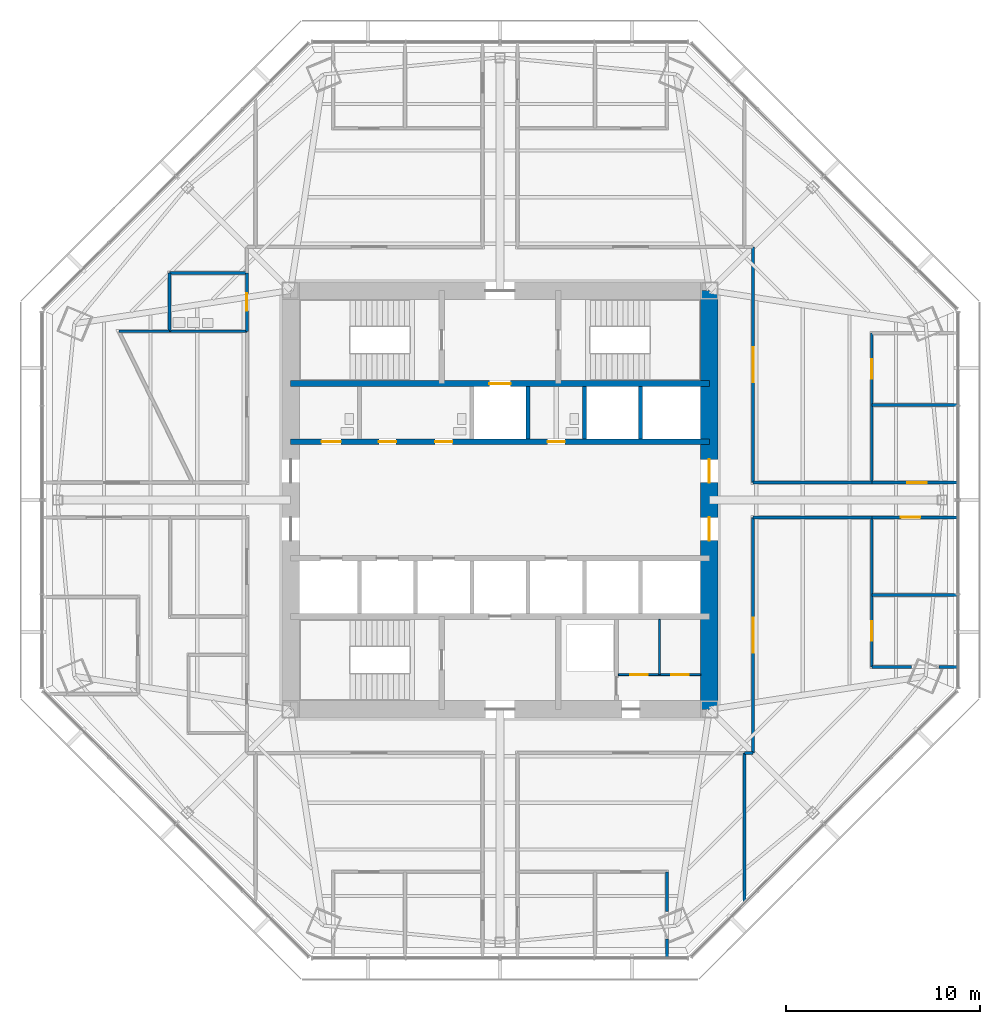
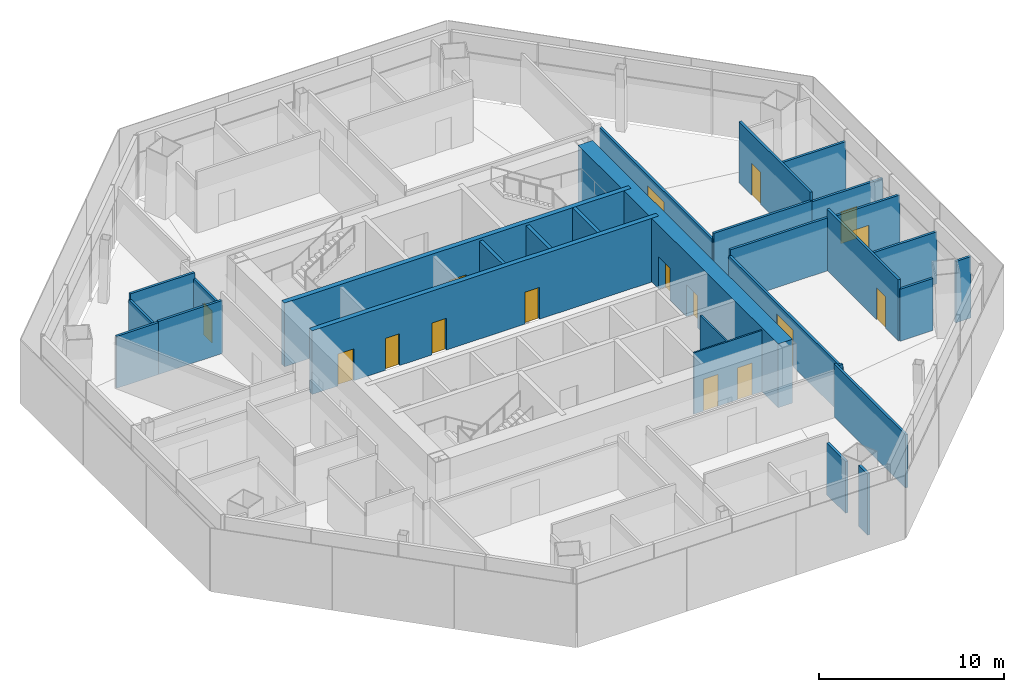
# One storey, part 10 of 15: 29 walls, 16 doors, 16 openings.
"""IFC4 building model written with IfcOpenShell, lengths in metres."""

from ifc_helpers import new_model, si_unit, direction, frame, frame_2d, origin, place, context, subcontext, project, spatial, rectangle, extrude, material, layer, layer_set, type_object, element, fill, save


model = new_model("IFC4")

# Units and contexts
model_context = context("Model", 3, precision=1e-05, world=origin(), true_north=direction((0.0, 1.0)))
body_context = subcontext(model_context, "Body", "Model", "MODEL_VIEW")
ifc_project = project(units=[si_unit("LENGTHUNIT", "METRE"), si_unit("AREAUNIT", "SQUARE_METRE"), si_unit("VOLUMEUNIT", "CUBIC_METRE"), si_unit("PLANEANGLEUNIT", "RADIAN"), si_unit("MASSUNIT", "GRAM", prefix="KILO")], contexts=[model_context])

# Site, building, storey
site_placement = place(None, origin())
site = spatial("IfcSite", under=ifc_project, at=site_placement, CompositionType="ELEMENT")
building_placement = place(site_placement, origin())
building = spatial("IfcBuilding", under=site, at=building_placement, Name="Mashrafa Tower", CompositionType="ELEMENT")
storey_placement = place(building_placement, frame((0.0, 0.0, 155.39990234375)))
storey = spatial("IfcBuildingStorey", under=building, at=storey_placement, Name="L35", CompositionType="ELEMENT", Elevation=155.39990234375)

# Wall, openings, doors
ifc_material_1 = material(Name="Concrete C60/75", Category="concrete")
ifc_layer_1 = layer(ifc_material_1, 0.300048828125)
ifc_layer_set_1 = layer_set([ifc_layer_1], Name="Core wall 300 C60/75")
wall_type_1 = type_object("IfcWallType", Name="Core wall 300 C60/75", PredefinedType="SOLIDWALL", material=ifc_layer_set_1)
wall_1_placement = place(storey_placement, frame((-10.800048828125, 3.0, 0.0), z_axis=(0.0, 0.0, 1.0), x_axis=(1.0, 0.0, 0.0)))
wall_1 = element("IfcWall", 1, at=wall_1_placement, inside=storey, type_object=wall_type_1, Name="Core wall CH-N L35", PredefinedType="SOLIDWALL", context=body_context, shape_type="SweptSolid", body=[
    extrude(rectangle(XDim=21.60009765625, YDim=0.300048828125, at=frame_2d((10.800048828125, 0.0))), origin(), (0.0, 0.0, 1.0), 4.2001953125),
])
opening_1_placement = place(wall_1_placement, frame((1.60009765625, 0.0, 0.0)))
opening_1 = element("IfcOpeningElement", 2, at=opening_1_placement, cuts=wall_1, Name="Opening 35.039", PredefinedType="OPENING", context=body_context, shape_type="SweptSolid", body=[
    extrude(rectangle(XDim=1.0, YDim=2.10009765625, at=frame_2d((0.5, 1.050048828125))), frame((0.0, 0.159912109375, 0.0), z_axis=(0.0, -1.0, 0.0), x_axis=(1.0, 0.0, 0.0)), (0.0, 0.0, 1.0), 0.320068359375),
])
opening_2_placement = place(wall_1_placement, frame((4.550048828125, 0.0, 0.0)))
opening_2 = element("IfcOpeningElement", 3, at=opening_2_placement, cuts=wall_1, Name="Opening 35.040", PredefinedType="OPENING", context=body_context, shape_type="SweptSolid", body=[
    extrude(rectangle(XDim=0.89990234375, YDim=2.10009765625, at=frame_2d((0.449951171875, 1.050048828125))), frame((0.0, 0.159912109375, 0.0), z_axis=(0.0, -1.0, 0.0), x_axis=(1.0, 0.0, 0.0)), (0.0, 0.0, 1.0), 0.320068359375),
])
opening_3_placement = place(wall_1_placement, frame((7.449951171875, 0.0, 0.0)))
opening_3 = element("IfcOpeningElement", 4, at=opening_3_placement, cuts=wall_1, Name="Opening 35.041", PredefinedType="OPENING", context=body_context, shape_type="SweptSolid", body=[
    extrude(rectangle(XDim=0.89990234375, YDim=2.10009765625, at=frame_2d((0.449951171875, 1.050048828125))), frame((0.0, 0.159912109375, 0.0), z_axis=(0.0, -1.0, 0.0), x_axis=(1.0, 0.0, 0.0)), (0.0, 0.0, 1.0), 0.320068359375),
])
opening_4_placement = place(wall_1_placement, frame((13.25, 0.0, 0.0)))
opening_4 = element("IfcOpeningElement", 5, at=opening_4_placement, cuts=wall_1, Name="Opening 35.042", PredefinedType="OPENING", context=body_context, shape_type="SweptSolid", body=[
    extrude(rectangle(XDim=0.89990234375, YDim=2.10009765625, at=frame_2d((0.449951171875, 1.050048828125))), frame((0.0, 0.159912109375, 0.0), z_axis=(0.0, -1.0, 0.0), x_axis=(1.0, 0.0, 0.0)), (0.0, 0.0, 1.0), 0.320068359375),
])
ifc_material_2 = material(Name="Timber door", Category="wood")
door_type_1 = type_object("IfcDoorType", Name="Accessible toilet door 1000 x 2100", OperationType="USERDEFINED", PredefinedType="DOOR", material=ifc_material_2)
door_1_placement = place(opening_1_placement, origin())
door_1 = element("IfcDoor", 6, at=door_1_placement, inside=storey, type_object=door_type_1, Name="Accessible WC L35 door", OperationType="SINGLE_SWING_RIGHT", OverallHeight=2.10009765625, OverallWidth=1.0, PredefinedType="DOOR", context=body_context, shape_type="SweptSolid", body=[
    extrude(rectangle(XDim=1.0, YDim=2.10009765625, at=frame_2d((0.5, 1.050048828125))), frame((0.0, 0.02490234375, 0.0), z_axis=(0.0, -1.0, 0.0), x_axis=(1.0, 0.0, 0.0)), (0.0, 0.0, 1.0), 0.050048828125),
])
fill(opening_1, door_1)
ifc_material_3 = material(Name="Timber door", Category="wood")
door_type_2 = type_object("IfcDoorType", Name="Toilet door 900 x 2100", OperationType="USERDEFINED", PredefinedType="DOOR", material=ifc_material_3)
door_2_placement = place(opening_2_placement, origin())
door_2 = element("IfcDoor", 7, at=door_2_placement, inside=storey, type_object=door_type_2, Name="WC Male L35 door", OperationType="SINGLE_SWING_LEFT", OverallHeight=2.10009765625, OverallWidth=0.89990234375, PredefinedType="DOOR", context=body_context, shape_type="SweptSolid", body=[
    extrude(rectangle(XDim=0.89990234375, YDim=2.10009765625, at=frame_2d((0.449951171875, 1.050048828125))), frame((0.0, 0.02490234375, 0.0), z_axis=(0.0, -1.0, 0.0), x_axis=(1.0, 0.0, 0.0)), (0.0, 0.0, 1.0), 0.050048828125),
])
fill(opening_2, door_2)
door_3_placement = place(opening_3_placement, origin())
door_3 = element("IfcDoor", 8, at=door_3_placement, inside=storey, type_object=door_type_2, Name="WC Male L35 door", OperationType="SINGLE_SWING_RIGHT", OverallHeight=2.10009765625, OverallWidth=0.89990234375, PredefinedType="DOOR", context=body_context, shape_type="SweptSolid", body=[
    extrude(rectangle(XDim=0.89990234375, YDim=2.10009765625, at=frame_2d((0.449951171875, 1.050048828125))), frame((0.0, 0.02490234375, 0.0), z_axis=(0.0, -1.0, 0.0), x_axis=(1.0, 0.0, 0.0)), (0.0, 0.0, 1.0), 0.050048828125),
])
fill(opening_3, door_3)
door_4_placement = place(opening_4_placement, origin())
door_4 = element("IfcDoor", 9, at=door_4_placement, inside=storey, type_object=door_type_2, Name="WC Female L35 door", OperationType="SINGLE_SWING_LEFT", OverallHeight=2.10009765625, OverallWidth=0.89990234375, PredefinedType="DOOR", context=body_context, shape_type="SweptSolid", body=[
    extrude(rectangle(XDim=0.89990234375, YDim=2.10009765625, at=frame_2d((0.449951171875, 1.050048828125))), frame((0.0, 0.02490234375, 0.0), z_axis=(0.0, -1.0, 0.0), x_axis=(1.0, 0.0, 0.0)), (0.0, 0.0, 1.0), 0.050048828125),
])
fill(opening_4, door_4)

# Wall, opening, door
wall_2_placement = place(storey_placement, frame((-10.800048828125, 6.0, 0.0), z_axis=(0.0, 0.0, 1.0), x_axis=(1.0, 0.0, 0.0)))
wall_2 = element("IfcWall", 10, at=wall_2_placement, inside=storey, type_object=wall_type_1, Name="Core wall CB-N L35", PredefinedType="SOLIDWALL", context=body_context, shape_type="SweptSolid", body=[
    extrude(rectangle(XDim=21.60009765625, YDim=0.300048828125, at=frame_2d((10.800048828125, 0.0))), origin(), (0.0, 0.0, 1.0), 4.2001953125),
])
opening_5_placement = place(wall_2_placement, frame((10.25, 0.0, 0.0)))
opening_5 = element("IfcOpeningElement", 11, at=opening_5_placement, cuts=wall_2, Name="Opening 35.F1", PredefinedType="OPENING", context=body_context, shape_type="SweptSolid", body=[
    extrude(rectangle(XDim=1.10009765625, YDim=2.10009765625, at=frame_2d((0.550048828125, 1.050048828125))), frame((0.0, 0.159912109375, 0.0), z_axis=(0.0, -1.0, 0.0), x_axis=(1.0, 0.0, 0.0)), (0.0, 0.0, 1.0), 0.320068359375),
])
ifc_material_4 = material(Name="Steel door", Category="steel")
door_type_3 = type_object("IfcDoorType", Name="Lift landing door 1100 x 2100 90 min", OperationType="DOUBLE_DOOR_SLIDING", PredefinedType="DOOR", material=ifc_material_4)
door_5_placement = place(opening_5_placement, origin())
door_5 = element("IfcDoor", 12, at=door_5_placement, inside=storey, type_object=door_type_3, Name="Lift landing door F1 L35", OperationType="DOUBLE_DOOR_SLIDING", OverallHeight=2.10009765625, OverallWidth=1.10009765625, PredefinedType="DOOR", context=body_context, shape_type="SweptSolid", body=[
    extrude(rectangle(XDim=1.10009765625, YDim=2.10009765625, at=frame_2d((0.550048828125, 1.050048828125))), frame((0.0, 0.02490234375, 0.0), z_axis=(0.0, -1.0, 0.0), x_axis=(1.0, 0.0, 0.0)), (0.0, 0.0, 1.0), 0.050048828125),
])
fill(opening_5, door_5)

# Wall, openings, doors
ifc_material_5 = material(Name="Concrete C60/75", Category="concrete")
ifc_layer_2 = layer(ifc_material_5, 0.89990234375)
ifc_layer_set_2 = layer_set([ifc_layer_2], Name="Core wall 900 C60/75")
wall_type_2 = type_object("IfcWallType", Name="Core wall 900 C60/75", PredefinedType="SOLIDWALL", material=ifc_layer_set_2)
wall_3_placement = place(storey_placement, frame((10.800048828125, -10.800048828125, 0.0), z_axis=(0.0, 0.0, 1.0), x_axis=(0.0, 1.0, 0.0)))
wall_3 = element("IfcWall", 13, at=wall_3_placement, inside=storey, type_object=wall_type_2, Name="Core wall CW-E L35", PredefinedType="SOLIDWALL", context=body_context, shape_type="SweptSolid", body=[
    extrude(rectangle(XDim=21.60009765625, YDim=0.89990234375, at=frame_2d((10.800048828125, 0.0))), origin(), (0.0, 0.0, 1.0), 4.2001953125),
])
opening_6_placement = place(wall_3_placement, frame((11.699951171875, 0.0, 0.0)))
opening_6 = element("IfcOpeningElement", 14, at=opening_6_placement, cuts=wall_3, Name="Opening 35.026", PredefinedType="OPENING", context=body_context, shape_type="SweptSolid", body=[
    extrude(rectangle(XDim=1.199951171875, YDim=2.10009765625, at=frame_2d((0.60009765625, 1.050048828125))), frame((0.0, 0.4599609375, 0.0), z_axis=(0.0, -1.0, 0.0), x_axis=(1.0, 0.0, 0.0)), (0.0, 0.0, 1.0), 0.919921875),
])
opening_7_placement = place(wall_3_placement, frame((8.699951171875, 0.0, 0.0)))
opening_7 = element("IfcOpeningElement", 15, at=opening_7_placement, cuts=wall_3, Name="Opening 35.028", PredefinedType="OPENING", context=body_context, shape_type="SweptSolid", body=[
    extrude(rectangle(XDim=1.199951171875, YDim=2.10009765625, at=frame_2d((0.60009765625, 1.050048828125))), frame((0.0, 0.4599609375, 0.0), z_axis=(0.0, -1.0, 0.0), x_axis=(1.0, 0.0, 0.0)), (0.0, 0.0, 1.0), 0.919921875),
])
ifc_material_6 = material(Name="Steel door", Category="steel")
door_type_4 = type_object("IfcDoorType", Name="Lift hall door 1200 x 2100 90 min", OperationType="USERDEFINED", PredefinedType="DOOR", material=ifc_material_6)
door_6_placement = place(opening_6_placement, frame((1.199951171875, 0.0, 0.0), z_axis=(0.0, 0.0, 1.0), x_axis=(-1.0, 0.0, 0.0)))
door_6 = element("IfcDoor", 16, at=door_6_placement, inside=storey, type_object=door_type_4, Name="Lift hall door east L35", OperationType="SINGLE_SWING_LEFT", OverallHeight=2.10009765625, OverallWidth=1.199951171875, PredefinedType="DOOR", context=body_context, shape_type="SweptSolid", body=[
    extrude(rectangle(XDim=1.199951171875, YDim=2.10009765625, at=frame_2d((0.60009765625, 1.050048828125))), frame((0.0, 0.02490234375, 0.0), z_axis=(0.0, -1.0, 0.0), x_axis=(1.0, 0.0, 0.0)), (0.0, 0.0, 1.0), 0.050048828125),
])
fill(opening_6, door_6)
door_7_placement = place(opening_7_placement, frame((1.199951171875, 0.0, 0.0), z_axis=(0.0, 0.0, 1.0), x_axis=(-1.0, 0.0, 0.0)))
door_7 = element("IfcDoor", 17, at=door_7_placement, inside=storey, type_object=door_type_4, Name="Lift hall door east L35", OperationType="SINGLE_SWING_RIGHT", OverallHeight=2.10009765625, OverallWidth=1.199951171875, PredefinedType="DOOR", context=body_context, shape_type="SweptSolid", body=[
    extrude(rectangle(XDim=1.199951171875, YDim=2.10009765625, at=frame_2d((0.60009765625, 1.050048828125))), frame((0.0, 0.02490234375, 0.0), z_axis=(0.0, -1.0, 0.0), x_axis=(1.0, 0.0, 0.0)), (0.0, 0.0, 1.0), 0.050048828125),
])
fill(opening_7, door_7)

# Wall, opening, door
ifc_material_7 = material(Name="Gypsum board on steel studs", Category="steel")
ifc_layer_3 = layer(ifc_material_7, 0.14990234375)
ifc_layer_set_3 = layer_set([ifc_layer_3], Name="Corridor partition 150 1 hr")
wall_type_3 = type_object("IfcWallType", Name="Corridor partition 150 1 hr", PredefinedType="PARTITIONING", material=ifc_layer_set_3)
wall_4_placement = place(storey_placement, frame((-13.050048828125, 11.700927734375, 0.0), z_axis=(0.0, 0.0, 1.0), x_axis=(0.0, -1.0, 0.0)))
wall_4 = element("IfcWall", 18, at=wall_4_placement, inside=storey, type_object=wall_type_3, Name="Corridor wall L35-003", PredefinedType="PARTITIONING", context=body_context, shape_type="SweptSolid", body=[
    extrude(rectangle(XDim=3.001953125, YDim=0.14990234375, at=frame_2d((1.5009765625, 0.0))), origin(), (0.0, 0.0, 1.0), 3.097900390625),
])
opening_8_placement = place(wall_4_placement, frame((1.051025390625, 0.0, 0.0)))
opening_8 = element("IfcOpeningElement", 19, at=opening_8_placement, cuts=wall_4, Name="Opening 35.002", PredefinedType="OPENING", context=body_context, shape_type="SweptSolid", body=[
    extrude(rectangle(XDim=0.89990234375, YDim=2.10009765625, at=frame_2d((0.449951171875, 1.050048828125))), frame((0.0, 0.0849609375, 0.0), z_axis=(0.0, -1.0, 0.0), x_axis=(1.0, 0.0, 0.0)), (0.0, 0.0, 1.0), 0.169921875),
])
door_8_placement = place(opening_8_placement, frame((0.89990234375, 0.0, 0.0), z_axis=(0.0, 0.0, 1.0), x_axis=(-1.0, 0.0, 0.0)))
door_8 = element("IfcDoor", 20, at=door_8_placement, inside=storey, type_object=door_type_2, Name="Ablution Room L35 door", OperationType="SINGLE_SWING_RIGHT", OverallHeight=2.10009765625, OverallWidth=0.89990234375, PredefinedType="DOOR", context=body_context, shape_type="SweptSolid", body=[
    extrude(rectangle(XDim=0.89990234375, YDim=2.10009765625, at=frame_2d((0.449951171875, 1.050048828125))), frame((0.0, 0.02490234375, 0.0), z_axis=(0.0, -1.0, 0.0), x_axis=(1.0, 0.0, 0.0)), (0.0, 0.0, 1.0), 0.050048828125),
])
fill(opening_8, door_8)

wall_5_placement = place(storey_placement, frame((23.602783203125, 0.89990234375, 0.0), z_axis=(0.0, 0.0, 1.0), x_axis=(-1.0, 0.0, 0.0)))
wall_5 = element("IfcWall", 21, at=wall_5_placement, inside=storey, type_object=wall_type_3, Name="Corridor wall L35-004", PredefinedType="PARTITIONING", context=body_context, shape_type="SweptSolid", body=[
    extrude(rectangle(XDim=4.43505859375, YDim=0.14990234375, at=frame_2d((2.217529296875, 0.0))), origin(), (0.0, 0.0, 1.0), 3.423095703125),
])
opening_9_placement = place(wall_5_placement, frame((1.599609375, 0.0, 0.0)))
opening_9 = element("IfcOpeningElement", 22, at=opening_9_placement, cuts=wall_5, Name="Opening 35.003", PredefinedType="OPENING", context=body_context, shape_type="SweptSolid", body=[
    extrude(rectangle(XDim=1.0, YDim=2.10009765625, at=frame_2d((0.5, 1.050048828125))), frame((0.0, 0.0849609375, 0.0), z_axis=(0.0, -1.0, 0.0), x_axis=(1.0, 0.0, 0.0)), (0.0, 0.0, 1.0), 0.169921875),
])
ifc_material_8 = material(Name="Timber door", Category="wood")
door_type_5 = type_object("IfcDoorType", Name="Door 1000 x 2100", OperationType="USERDEFINED", PredefinedType="DOOR", material=ifc_material_8)
door_9_placement = place(opening_9_placement, frame((1.0, 0.0, 0.0), z_axis=(0.0, 0.0, 1.0), x_axis=(-1.0, 0.0, 0.0)))
door_9 = element("IfcDoor", 23, at=door_9_placement, inside=storey, type_object=door_type_5, Name="Serviced Office 35-EA-1 door", OperationType="SINGLE_SWING_RIGHT", OverallHeight=2.10009765625, OverallWidth=1.0, PredefinedType="DOOR", context=body_context, shape_type="SweptSolid", body=[
    extrude(rectangle(XDim=1.0, YDim=2.10009765625, at=frame_2d((0.5, 1.050048828125))), frame((0.0, 0.02490234375, 0.0), z_axis=(0.0, -1.0, 0.0), x_axis=(1.0, 0.0, 0.0)), (0.0, 0.0, 1.0), 0.050048828125),
])
fill(opening_9, door_9)

wall_6_placement = place(storey_placement, frame((19.167724609375, -0.89990234375, 0.0), z_axis=(0.0, 0.0, 1.0), x_axis=(1.0, 0.0, 0.0)))
wall_6 = element("IfcWall", 24, at=wall_6_placement, inside=storey, type_object=wall_type_3, Name="Corridor wall L35-005", PredefinedType="PARTITIONING", context=body_context, shape_type="SweptSolid", body=[
    extrude(rectangle(XDim=4.43505859375, YDim=0.14990234375, at=frame_2d((2.217529296875, 0.0))), origin(), (0.0, 0.0, 1.0), 3.423095703125),
])
opening_10_placement = place(wall_6_placement, frame((1.50048828125, 0.0, 0.0)))
opening_10 = element("IfcOpeningElement", 25, at=opening_10_placement, cuts=wall_6, Name="Opening 35.006", PredefinedType="OPENING", context=body_context, shape_type="SweptSolid", body=[
    extrude(rectangle(XDim=1.0, YDim=2.10009765625, at=frame_2d((0.5, 1.050048828125))), frame((0.0, 0.0849609375, 0.0), z_axis=(0.0, -1.0, 0.0), x_axis=(1.0, 0.0, 0.0)), (0.0, 0.0, 1.0), 0.169921875),
])
door_10_placement = place(opening_10_placement, frame((1.0, 0.0, 0.0), z_axis=(0.0, 0.0, 1.0), x_axis=(-1.0, 0.0, 0.0)))
door_10 = element("IfcDoor", 26, at=door_10_placement, inside=storey, type_object=door_type_5, Name="Serviced Office 35-EB-2 door", OperationType="SINGLE_SWING_RIGHT", OverallHeight=2.10009765625, OverallWidth=1.0, PredefinedType="DOOR", context=body_context, shape_type="SweptSolid", body=[
    extrude(rectangle(XDim=1.0, YDim=2.10009765625, at=frame_2d((0.5, 1.050048828125))), frame((0.0, 0.02490234375, 0.0), z_axis=(0.0, -1.0, 0.0), x_axis=(1.0, 0.0, 0.0)), (0.0, 0.0, 1.0), 0.050048828125),
])
fill(opening_10, door_10)

# Wall
wall_7_placement = place(storey_placement, frame((19.169677734375, 0.89990234375, 0.0), z_axis=(0.0, 0.0, 1.0), x_axis=(-1.0, 0.0, 0.0)))
element("IfcWall", 27, at=wall_7_placement, inside=storey, type_object=wall_type_3, Name="Corridor wall L35-013", PredefinedType="PARTITIONING", context=body_context, shape_type="SweptSolid", body=[
    extrude(rectangle(XDim=6.11962890625, YDim=0.14990234375, at=frame_2d((3.059814453125, 0.0))), origin(), (0.0, 0.0, 1.0), 3.49169921875),
])

# Wall, opening, door
wall_8_placement = place(storey_placement, frame((13.050048828125, 0.89990234375, 0.0), z_axis=(0.0, 0.0, 1.0), x_axis=(0.0, 1.0, 0.0)))
wall_8 = element("IfcWall", 28, at=wall_8_placement, inside=storey, type_object=wall_type_3, Name="Corridor wall L35-014", PredefinedType="PARTITIONING", context=body_context, shape_type="SweptSolid", body=[
    extrude(rectangle(XDim=12.150146484375, YDim=0.14990234375, at=frame_2d((6.0751953125, 0.0))), origin(), (0.0, 0.0, 1.0), 3.097900390625),
])
opening_11_placement = place(wall_8_placement, frame((5.175048828125, 0.0, 0.0)))
opening_11 = element("IfcOpeningElement", 29, at=opening_11_placement, cuts=wall_8, Name="Opening 35.018", PredefinedType="OPENING", context=body_context, shape_type="SweptSolid", body=[
    extrude(rectangle(XDim=1.800048828125, YDim=2.39990234375, at=frame_2d((0.89990234375, 1.199951171875))), frame((0.0, 0.0849609375, 0.0), z_axis=(0.0, -1.0, 0.0), x_axis=(1.0, 0.0, 0.0)), (0.0, 0.0, 1.0), 0.169921875),
])
ifc_material_9 = material(Name="Timber door", Category="wood")
door_type_6 = type_object("IfcDoorType", Name="Door pair 1800 x 2400", OperationType="DOUBLE_DOOR_SINGLE_SWING", PredefinedType="DOOR", material=ifc_material_9)
door_11_placement = place(opening_11_placement, frame((1.800048828125, 0.0, 0.0), z_axis=(0.0, 0.0, 1.0), x_axis=(-1.0, 0.0, 0.0)))
door_11 = element("IfcDoor", 30, at=door_11_placement, inside=storey, type_object=door_type_6, Name="Business Centre Suite 35-NE1 door", OperationType="DOUBLE_DOOR_SINGLE_SWING", OverallHeight=2.39990234375, OverallWidth=1.800048828125, PredefinedType="DOOR", context=body_context, shape_type="SweptSolid", body=[
    extrude(rectangle(XDim=1.800048828125, YDim=2.39990234375, at=frame_2d((0.89990234375, 1.199951171875))), frame((0.0, 0.02490234375, 0.0), z_axis=(0.0, -1.0, 0.0), x_axis=(1.0, 0.0, 0.0)), (0.0, 0.0, 1.0), 0.050048828125),
])
fill(opening_11, door_11)

# Wall
wall_9_placement = place(storey_placement, frame((12.59912109375, -13.050048828125, 0.0), z_axis=(0.0, 0.0, 1.0), x_axis=(1.0, 0.0, 0.0)))
element("IfcWall", 31, at=wall_9_placement, inside=storey, type_object=wall_type_3, Name="Corridor wall L35-029", PredefinedType="PARTITIONING", context=body_context, shape_type="SweptSolid", body=[
    extrude(rectangle(XDim=0.450927734375, YDim=0.14990234375, at=frame_2d((0.2255859375, 0.0))), origin(), (0.0, 0.0, 1.0), 3.331787109375),
])

# Wall, opening, door
wall_10_placement = place(storey_placement, frame((13.050048828125, -13.050048828125, 0.0), z_axis=(0.0, 0.0, 1.0), x_axis=(0.0, 1.0, 0.0)))
wall_10 = element("IfcWall", 32, at=wall_10_placement, inside=storey, type_object=wall_type_3, Name="Corridor wall L35-030", PredefinedType="PARTITIONING", context=body_context, shape_type="SweptSolid", body=[
    extrude(rectangle(XDim=12.150146484375, YDim=0.14990234375, at=frame_2d((6.0751953125, 0.0))), origin(), (0.0, 0.0, 1.0), 3.097900390625),
])
opening_12_placement = place(wall_10_placement, frame((5.175048828125, 0.0, 0.0)))
opening_12 = element("IfcOpeningElement", 33, at=opening_12_placement, cuts=wall_10, Name="Opening 35.024", PredefinedType="OPENING", context=body_context, shape_type="SweptSolid", body=[
    extrude(rectangle(XDim=1.800048828125, YDim=2.39990234375, at=frame_2d((0.89990234375, 1.199951171875))), frame((0.0, 0.0849609375, 0.0), z_axis=(0.0, -1.0, 0.0), x_axis=(1.0, 0.0, 0.0)), (0.0, 0.0, 1.0), 0.169921875),
])
door_12_placement = place(opening_12_placement, frame((1.800048828125, 0.0, 0.0), z_axis=(0.0, 0.0, 1.0), x_axis=(-1.0, 0.0, 0.0)))
door_12 = element("IfcDoor", 34, at=door_12_placement, inside=storey, type_object=door_type_6, Name="Business Centre Suite 35-SE1 door", OperationType="DOUBLE_DOOR_SINGLE_SWING", OverallHeight=2.39990234375, OverallWidth=1.800048828125, PredefinedType="DOOR", context=body_context, shape_type="SweptSolid", body=[
    extrude(rectangle(XDim=1.800048828125, YDim=2.39990234375, at=frame_2d((0.89990234375, 1.199951171875))), frame((0.0, 0.02490234375, 0.0), z_axis=(0.0, -1.0, 0.0), x_axis=(1.0, 0.0, 0.0)), (0.0, 0.0, 1.0), 0.050048828125),
])
fill(opening_12, door_12)

# Wall
wall_11_placement = place(storey_placement, frame((13.050048828125, -0.89990234375, 0.0), z_axis=(0.0, 0.0, 1.0), x_axis=(1.0, 0.0, 0.0)))
element("IfcWall", 35, at=wall_11_placement, inside=storey, type_object=wall_type_3, Name="Corridor wall L35-031", PredefinedType="PARTITIONING", context=body_context, shape_type="SweptSolid", body=[
    extrude(rectangle(XDim=6.11962890625, YDim=0.14990234375, at=frame_2d((3.059814453125, 0.0))), origin(), (0.0, 0.0, 1.0), 3.49169921875),
])

# Wall, openings, doors
ifc_material_10 = material(Name="Gypsum board on steel studs", Category="steel")
ifc_layer_4 = layer(ifc_material_10, 0.10009765625)
ifc_layer_set_4 = layer_set([ifc_layer_4], Name="Partition 100 1 hr")
wall_type_4 = type_object("IfcWallType", Name="Partition 100 1 hr", PredefinedType="PARTITIONING", material=ifc_layer_set_4)
wall_12_placement = place(storey_placement, frame((6.10009765625, -9.0, 0.0), z_axis=(0.0, 0.0, 1.0), x_axis=(1.0, 0.0, 0.0)))
wall_12 = element("IfcWall", 36, at=wall_12_placement, inside=storey, type_object=wall_type_4, Name="Services lobby partition A L35", PredefinedType="PARTITIONING", context=body_context, shape_type="SweptSolid", body=[
    extrude(rectangle(XDim=4.25, YDim=0.10009765625, at=frame_2d((2.125, 0.0))), origin(), (0.0, 0.0, 1.0), 4.03515625),
])
opening_13_placement = place(wall_12_placement, frame((0.612548828125, 0.0, 0.0)))
opening_13 = element("IfcOpeningElement", 37, at=opening_13_placement, cuts=wall_12, Name="Opening 35.037", PredefinedType="OPENING", context=body_context, shape_type="SweptSolid", body=[
    extrude(rectangle(XDim=0.89990234375, YDim=2.10009765625, at=frame_2d((0.449951171875, 1.050048828125))), frame((0.0, 0.06005859375, 0.0), z_axis=(0.0, -1.0, 0.0), x_axis=(1.0, 0.0, 0.0)), (0.0, 0.0, 1.0), 0.1201171875),
])
opening_14_placement = place(wall_12_placement, frame((2.737548828125, 0.0, 0.0)))
opening_14 = element("IfcOpeningElement", 38, at=opening_14_placement, cuts=wall_12, Name="Opening 35.038", PredefinedType="OPENING", context=body_context, shape_type="SweptSolid", body=[
    extrude(rectangle(XDim=0.89990234375, YDim=2.10009765625, at=frame_2d((0.449951171875, 1.050048828125))), frame((0.0, 0.06005859375, 0.0), z_axis=(0.0, -1.0, 0.0), x_axis=(1.0, 0.0, 0.0)), (0.0, 0.0, 1.0), 0.1201171875),
])
ifc_material_11 = material(Name="Timber door", Category="wood")
door_type_7 = type_object("IfcDoorType", Name="Store door 900 x 2100", OperationType="USERDEFINED", PredefinedType="DOOR", material=ifc_material_11)
door_13_placement = place(opening_13_placement, origin())
door_13 = element("IfcDoor", 39, at=door_13_placement, inside=storey, type_object=door_type_7, Name="Tenant Store L35 door", OperationType="SINGLE_SWING_RIGHT", OverallHeight=2.10009765625, OverallWidth=0.89990234375, PredefinedType="DOOR", context=body_context, shape_type="SweptSolid", body=[
    extrude(rectangle(XDim=0.89990234375, YDim=2.10009765625, at=frame_2d((0.449951171875, 1.050048828125))), frame((0.0, 0.02490234375, 0.0), z_axis=(0.0, -1.0, 0.0), x_axis=(1.0, 0.0, 0.0)), (0.0, 0.0, 1.0), 0.050048828125),
])
fill(opening_13, door_13)
door_14_placement = place(opening_14_placement, origin())
door_14 = element("IfcDoor", 40, at=door_14_placement, inside=storey, type_object=door_type_7, Name="Cleaner's Store L35 door", OperationType="SINGLE_SWING_LEFT", OverallHeight=2.10009765625, OverallWidth=0.89990234375, PredefinedType="DOOR", context=body_context, shape_type="SweptSolid", body=[
    extrude(rectangle(XDim=0.89990234375, YDim=2.10009765625, at=frame_2d((0.449951171875, 1.050048828125))), frame((0.0, 0.02490234375, 0.0), z_axis=(0.0, -1.0, 0.0), x_axis=(1.0, 0.0, 0.0)), (0.0, 0.0, 1.0), 0.050048828125),
])
fill(opening_14, door_14)

# Walls
wall_13_placement = place(storey_placement, frame((8.22509765625, -9.0, 0.0), z_axis=(0.0, 0.0, 1.0), x_axis=(0.0, 1.0, 0.0)))
element("IfcWall", 41, at=wall_13_placement, inside=storey, type_object=wall_type_4, Name="Services lobby partition B L35", PredefinedType="PARTITIONING", context=body_context, shape_type="SweptSolid", body=[
    extrude(rectangle(XDim=2.85009765625, YDim=0.10009765625, at=frame_2d((1.425048828125, 0.0))), origin(), (0.0, 0.0, 1.0), 4.03515625),
])
ifc_material_12 = material(Name="Gypsum board on steel studs", Category="steel")
ifc_layer_5 = layer(ifc_material_12, 0.14990234375)
ifc_layer_set_5 = layer_set([ifc_layer_5], Name="Partition 150")
wall_type_5 = type_object("IfcWallType", Name="Partition 150", PredefinedType="PARTITIONING", material=ifc_layer_set_5)
wall_14_placement = place(storey_placement, frame((-13.050048828125, 8.699951171875, 0.0), z_axis=(0.0, 0.0, 1.0), x_axis=(-1.0, 0.0, 0.0)))
element("IfcWall", 42, at=wall_14_placement, inside=storey, type_object=wall_type_5, Name="Partition wall L35-034", PredefinedType="PARTITIONING", context=body_context, shape_type="SweptSolid", body=[
    extrude(rectangle(XDim=4.0009765625, YDim=0.14990234375, at=frame_2d((2.00048828125, 0.0))), origin(), (0.0, 0.0, 1.0), 3.49169921875),
])
wall_15_placement = place(storey_placement, frame((-17.049072265625, 8.699951171875, 0.0), z_axis=(0.0, 0.0, 1.0), x_axis=(-1.0, 0.0, 0.0)))
element("IfcWall", 43, at=wall_15_placement, inside=storey, type_object=wall_type_5, Name="Partition wall L35-035", PredefinedType="PARTITIONING", context=body_context, shape_type="SweptSolid", body=[
    extrude(rectangle(XDim=2.600830078125, YDim=0.14990234375, at=frame_2d((1.30029296875, 0.0))), origin(), (0.0, 0.0, 1.0), 3.423095703125),
])
wall_16_placement = place(storey_placement, frame((-13.050048828125, 11.699951171875, 0.0), z_axis=(0.0, 0.0, 1.0), x_axis=(-1.0, 0.0, 0.0)))
element("IfcWall", 44, at=wall_16_placement, inside=storey, type_object=wall_type_5, Name="Partition wall L35-037", PredefinedType="PARTITIONING", context=body_context, shape_type="SweptSolid", body=[
    extrude(rectangle(XDim=4.0, YDim=0.14990234375, at=frame_2d((2.0, 0.0))), origin(), (0.0, 0.0, 1.0), 3.499267578125),
])
wall_17_placement = place(storey_placement, frame((-17.050048828125, 11.699951171875, 0.0), z_axis=(0.0, 0.0, 1.0), x_axis=(0.0, -1.0, 0.0)))
element("IfcWall", 45, at=wall_17_placement, inside=storey, type_object=wall_type_5, Name="Partition wall L35-038", PredefinedType="PARTITIONING", context=body_context, shape_type="SweptSolid", body=[
    extrude(rectangle(XDim=3.0, YDim=0.14990234375, at=frame_2d((1.5, 0.0))), origin(), (0.0, 0.0, 1.0), 3.097900390625),
])
wall_18_placement = place(storey_placement, frame((23.6005859375, 4.89990234375, 0.0), z_axis=(0.0, 0.0, 1.0), x_axis=(-1.0, 0.0, 0.0)))
element("IfcWall", 46, at=wall_18_placement, inside=storey, type_object=wall_type_5, Name="Partition wall L35-039", PredefinedType="PARTITIONING", context=body_context, shape_type="SweptSolid", body=[
    extrude(rectangle(XDim=4.431884765625, YDim=0.14990234375, at=frame_2d((2.2158203125, 0.0))), origin(), (0.0, 0.0, 1.0), 3.423095703125),
])

# Wall, opening, door
wall_19_placement = place(storey_placement, frame((19.168701171875, 0.89990234375, 0.0), z_axis=(0.0, 0.0, 1.0), x_axis=(0.0, 1.0, 0.0)))
wall_19 = element("IfcWall", 47, at=wall_19_placement, inside=storey, type_object=wall_type_5, Name="Partition wall L35-040", PredefinedType="PARTITIONING", context=body_context, shape_type="SweptSolid", body=[
    extrude(rectangle(XDim=7.7001953125, YDim=0.14990234375, at=frame_2d((3.85009765625, 0.0))), origin(), (0.0, 0.0, 1.0), 4.03515625),
])
opening_15_placement = place(wall_19_placement, frame((5.35009765625, 0.0, 0.0)))
opening_15 = element("IfcOpeningElement", 48, at=opening_15_placement, cuts=wall_19, Name="Opening 35.004", PredefinedType="OPENING", context=body_context, shape_type="SweptSolid", body=[
    extrude(rectangle(XDim=1.0, YDim=2.10009765625, at=frame_2d((0.5, 1.050048828125))), frame((0.0, 0.0849609375, 0.0), z_axis=(0.0, -1.0, 0.0), x_axis=(1.0, 0.0, 0.0)), (0.0, 0.0, 1.0), 0.169921875),
])
door_15_placement = place(opening_15_placement, frame((1.0, 0.0, 0.0), z_axis=(0.0, 0.0, 1.0), x_axis=(-1.0, 0.0, 0.0)))
door_15 = element("IfcDoor", 49, at=door_15_placement, inside=storey, type_object=door_type_5, Name="Serviced Office 35-NE1 door", OperationType="SINGLE_SWING_RIGHT", OverallHeight=2.10009765625, OverallWidth=1.0, PredefinedType="DOOR", context=body_context, shape_type="SweptSolid", body=[
    extrude(rectangle(XDim=1.0, YDim=2.10009765625, at=frame_2d((0.5, 1.050048828125))), frame((0.0, 0.02490234375, 0.0), z_axis=(0.0, -1.0, 0.0), x_axis=(1.0, 0.0, 0.0)), (0.0, 0.0, 1.0), 0.050048828125),
])
fill(opening_15, door_15)

# Wall
wall_20_placement = place(storey_placement, frame((23.6005859375, -4.89990234375, 0.0), z_axis=(0.0, 0.0, 1.0), x_axis=(-1.0, 0.0, 0.0)))
element("IfcWall", 50, at=wall_20_placement, inside=storey, type_object=wall_type_5, Name="Partition wall L35-044", PredefinedType="PARTITIONING", context=body_context, shape_type="SweptSolid", body=[
    extrude(rectangle(XDim=4.431884765625, YDim=0.14990234375, at=frame_2d((2.2158203125, 0.0))), origin(), (0.0, 0.0, 1.0), 3.423095703125),
])

# Wall, opening, door
wall_21_placement = place(storey_placement, frame((19.168701171875, -8.60009765625, 0.0), z_axis=(0.0, 0.0, 1.0), x_axis=(0.0, 1.0, 0.0)))
wall_21 = element("IfcWall", 51, at=wall_21_placement, inside=storey, type_object=wall_type_5, Name="Partition wall L35-045", PredefinedType="PARTITIONING", context=body_context, shape_type="SweptSolid", body=[
    extrude(rectangle(XDim=7.7001953125, YDim=0.14990234375, at=frame_2d((3.85009765625, 0.0))), origin(), (0.0, 0.0, 1.0), 4.03515625),
])
opening_16_placement = place(wall_21_placement, frame((1.35009765625, 0.0, 0.0)))
opening_16 = element("IfcOpeningElement", 52, at=opening_16_placement, cuts=wall_21, Name="Opening 35.005", PredefinedType="OPENING", context=body_context, shape_type="SweptSolid", body=[
    extrude(rectangle(XDim=1.0, YDim=2.10009765625, at=frame_2d((0.5, 1.050048828125))), frame((0.0, 0.0849609375, 0.0), z_axis=(0.0, -1.0, 0.0), x_axis=(1.0, 0.0, 0.0)), (0.0, 0.0, 1.0), 0.169921875),
])
door_16_placement = place(opening_16_placement, frame((1.0, 0.0, 0.0), z_axis=(0.0, 0.0, 1.0), x_axis=(-1.0, 0.0, 0.0)))
door_16 = element("IfcDoor", 53, at=door_16_placement, inside=storey, type_object=door_type_5, Name="Serviced Office 35-SE1 door", OperationType="SINGLE_SWING_RIGHT", OverallHeight=2.10009765625, OverallWidth=1.0, PredefinedType="DOOR", context=body_context, shape_type="SweptSolid", body=[
    extrude(rectangle(XDim=1.0, YDim=2.10009765625, at=frame_2d((0.5, 1.050048828125))), frame((0.0, 0.02490234375, 0.0), z_axis=(0.0, -1.0, 0.0), x_axis=(1.0, 0.0, 0.0)), (0.0, 0.0, 1.0), 0.050048828125),
])
fill(opening_16, door_16)

# Walls
wall_22_placement = place(storey_placement, frame((19.168701171875, -8.60009765625, 0.0), z_axis=(0.0, 0.0, 1.0), x_axis=(1.0, 0.0, 0.0)))
element("IfcWall", 54, at=wall_22_placement, inside=storey, type_object=wall_type_5, Name="Partition wall L35-046", PredefinedType="PARTITIONING", context=body_context, shape_type="SweptSolid", body=[
    extrude(rectangle(XDim=2.05615234375, YDim=0.14990234375, at=frame_2d((1.028076171875, 0.0))), origin(), (0.0, 0.0, 1.0), 3.423095703125),
])
for number, where, z_axis, x_axis, name in (
    (55, (22.64111328125, -8.60009765625, 0.0), (0.0, 0.0, 1.0), (1.0, 0.0, 0.0), "Partition wall L35-047"),
    (56, (8.60009765625, -23.6005859375, 0.0), (0.0, 0.0, 1.0), (0.0, 1.0, 0.0), "Partition wall L35-061"),
):
    element("IfcWall", number, at=place(storey_placement, frame(where, z_axis=z_axis, x_axis=x_axis)), inside=storey, type_object=wall_type_5, Name=name, PredefinedType="PARTITIONING", context=body_context, shape_type="SweptSolid", body=[
        extrude(rectangle(XDim=0.95947265625, YDim=0.14990234375, at=frame_2d((0.479736328125, 0.0))), origin(), (0.0, 0.0, 1.0), 4.03515625),
    ])
wall_23_placement = place(storey_placement, frame((8.60009765625, -21.224853515625, 0.0), z_axis=(0.0, 0.0, 1.0), x_axis=(0.0, 1.0, 0.0)))
element("IfcWall", 57, at=wall_23_placement, inside=storey, type_object=wall_type_5, Name="Partition wall L35-062", PredefinedType="PARTITIONING", context=body_context, shape_type="SweptSolid", body=[
    extrude(rectangle(XDim=2.05615234375, YDim=0.14990234375, at=frame_2d((1.028076171875, 0.0))), origin(), (0.0, 0.0, 1.0), 3.423095703125),
])
wall_24_placement = place(storey_placement, frame((12.60009765625, -13.050048828125, 0.0), z_axis=(0.0, 0.0, 1.0), x_axis=(0.0, -1.0, 0.0)))
element("IfcWall", 58, at=wall_24_placement, inside=storey, type_object=wall_type_5, Name="Partition wall L35-081", PredefinedType="PARTITIONING", context=body_context, shape_type="SweptSolid", body=[
    extrude(rectangle(XDim=7.72802734375, YDim=0.14990234375, at=frame_2d((3.864013671875, 0.0))), origin(), (0.0, 0.0, 1.0), 3.499267578125),
])
ifc_material_13 = material(Name="Gypsum shaft wall on steel studs", Category="steel")
ifc_layer_6 = layer(ifc_material_13, 0.199951171875)
ifc_layer_set_6 = layer_set([ifc_layer_6], Name="Shaft divider wall 200 2 hr")
wall_type_6 = type_object("IfcWallType", Name="Shaft divider wall 200 2 hr", PredefinedType="PARTITIONING", material=ifc_layer_set_6)
for number, where, z_axis, x_axis, name in (
    (59, (1.449951171875, 3.14990234375, 0.0), (0.0, 0.0, 1.0), (0.0, 1.0, 0.0), "Shaft divider wall N4 L35"),
    (60, (4.35009765625, 3.14990234375, 0.0), (0.0, 0.0, 1.0), (0.0, 1.0, 0.0), "Shaft divider wall N5 L35"),
):
    element("IfcWall", number, at=place(storey_placement, frame(where, z_axis=z_axis, x_axis=x_axis)), inside=storey, type_object=wall_type_6, Name=name, PredefinedType="PARTITIONING", context=body_context, shape_type="SweptSolid", body=[
        extrude(rectangle(XDim=2.7001953125, YDim=0.199951171875, at=frame_2d((1.35009765625, 0.0))), origin(), (0.0, 0.0, 1.0), 4.03515625),
    ])
wall_25_placement = place(storey_placement, frame((7.25, 3.14990234375, 0.0), z_axis=(0.0, 0.0, 1.0), x_axis=(0.0, 1.0, 0.0)))
element("IfcWall", 61, at=wall_25_placement, inside=storey, type_object=wall_type_6, Name="Shaft divider wall N6 L35", PredefinedType="PARTITIONING", context=body_context, shape_type="SweptSolid", body=[
    extrude(rectangle(XDim=2.7001953125, YDim=0.199951171875, at=frame_2d((1.35009765625, 0.0))), origin(), (0.0, 0.0, 1.0), 4.2001953125),
])

save(model, "model.ifc")
